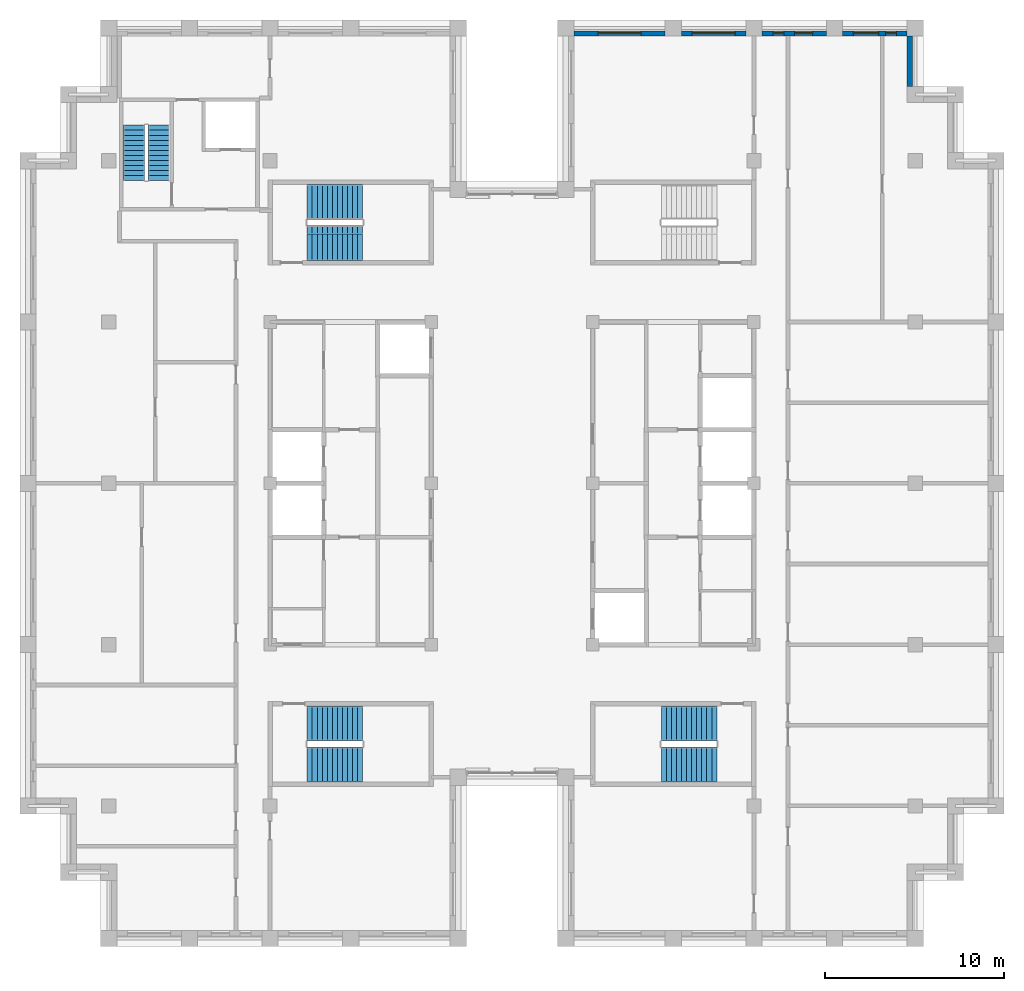
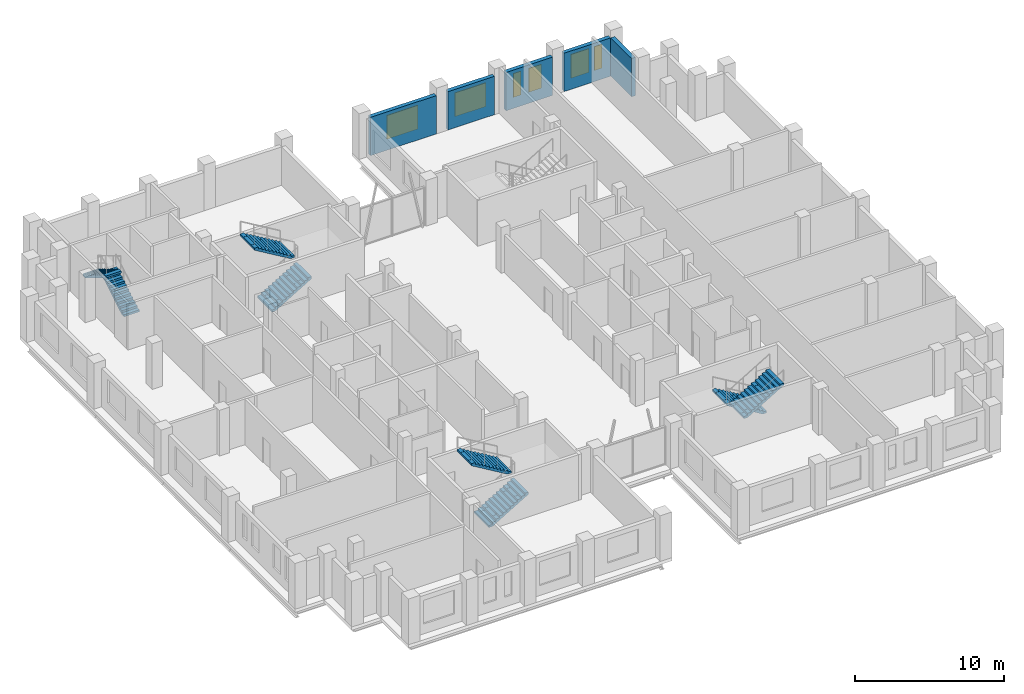
# One storey, part 11 of 13: 8 stair flights, 6 windows, 5 walls, 6 openings, 4 elements without a shape of their own.
"""IFC4 building model written with IfcOpenShell, lengths in metres."""

from ifc_helpers import new_model, si_unit, direction, frame, frame_2d, origin, place, context, subcontext, project, spatial, polyline, rectangle, outline, extrude, material, layer, layer_set, type_object, element, fill, aggregate, save


model = new_model("IFC4")

# Units and contexts
model_context = context("Model", 3, precision=1e-05, world=origin(), true_north=direction((0.0, 1.0)))
body_context = subcontext(model_context, "Body", "Model", "MODEL_VIEW")
ifc_project = project(units=[si_unit("LENGTHUNIT", "METRE"), si_unit("AREAUNIT", "SQUARE_METRE"), si_unit("VOLUMEUNIT", "CUBIC_METRE"), si_unit("PLANEANGLEUNIT", "RADIAN"), si_unit("MASSUNIT", "GRAM", prefix="KILO")], contexts=[model_context])

# Site, building, storey
site_placement = place(None, origin())
site = spatial("IfcSite", under=ifc_project, at=site_placement, CompositionType="ELEMENT")
building_placement = place(site_placement, origin())
building = spatial("IfcBuilding", under=site, at=building_placement, Name="Corbelhall Arena Tower", CompositionType="ELEMENT")
storey_placement = place(building_placement, frame((0.0, 0.0, 342.0)))
storey = spatial("IfcBuildingStorey", under=building, at=storey_placement, Name="L75", CompositionType="ELEMENT", Elevation=342.0)

# Wall
ifc_material_1 = material(Name="Precast concrete C40/50 with granite facing", Category="masonry")
ifc_layer = layer(ifc_material_1, 0.300048828125)
ifc_layer_set = layer_set([ifc_layer], Name="EV-IW1 Infill panel 300")
wall_type = type_object("IfcWallType", Name="EV-IW1 Infill panel 300", PredefinedType="SOLIDWALL", material=ifc_layer_set)
wall_1_placement = place(storey_placement, frame((22.199951171875, 22.14990234375, 0.0), z_axis=(0.0, 0.0, 1.0), x_axis=(0.0, 1.0, 0.0)))
element("IfcWall", 1, at=wall_1_placement, inside=storey, type_object=wall_type, Name="Infill panel IW1", PredefinedType="SOLIDWALL", context=body_context, shape_type="SweptSolid", body=[
    extrude(rectangle(XDim=2.800048828125, YDim=0.300048828125, at=frame_2d((1.39990234375, 0.0))), origin(), (0.0, 0.0, 1.0), 3.139892578125),
])

# Wall, openings, windows
wall_2_placement = place(storey_placement, frame((22.050048828125, 25.10009765625, 0.0), z_axis=(0.0, 0.0, 1.0), x_axis=(-1.0, 0.0, 0.0)))
wall_2 = element("IfcWall", 2, at=wall_2_placement, inside=storey, type_object=wall_type, Name="Infill panel IW1", PredefinedType="SOLIDWALL", context=body_context, shape_type="SweptSolid", body=[
    extrude(rectangle(XDim=3.60009765625, YDim=0.300048828125, at=frame_2d((1.800048828125, 0.0))), origin(), (0.0, 0.0, 1.0), 3.139892578125),
])
opening_1_placement = place(wall_2_placement, frame((0.60009765625, 0.0, 0.800048828125)))
opening_1 = element("IfcOpeningElement", 3, at=opening_1_placement, cuts=wall_2, Name="Opening WN5", PredefinedType="OPENING", context=body_context, shape_type="SweptSolid", body=[
    extrude(rectangle(XDim=0.60009765625, YDim=1.949951171875, at=frame_2d((0.300048828125, 0.97509765625))), frame((0.0, 0.14990234375, 0.0), z_axis=(0.0, -1.0, 0.0), x_axis=(1.0, 0.0, 0.0)), (0.0, 0.0, 1.0), 0.300048828125),
])
opening_2_placement = place(wall_2_placement, frame((1.60009765625, 0.0, 0.800048828125)))
opening_2 = element("IfcOpeningElement", 4, at=opening_2_placement, cuts=wall_2, Name="Opening WN7", PredefinedType="OPENING", context=body_context, shape_type="SweptSolid", body=[
    extrude(rectangle(XDim=1.39990234375, YDim=1.949951171875, at=frame_2d((0.699951171875, 0.97509765625))), frame((0.0, 0.14990234375, 0.0), z_axis=(0.0, -1.0, 0.0), x_axis=(1.0, 0.0, 0.0)), (0.0, 0.0, 1.0), 0.300048828125),
])
ifc_material_2 = material(Name="Aluminium black anodised", Category="aluminium")
window_type_1 = type_object("IfcWindowType", Name="EV-WN5 Office window 600", PartitioningType="SINGLE_PANEL", PredefinedType="WINDOW", material=ifc_material_2)
window_1_placement = place(opening_1_placement, origin())
window_1 = element("IfcWindow", 5, at=window_1_placement, inside=storey, type_object=window_type_1, Name="Window WN5", OverallHeight=1.949951171875, OverallWidth=0.60009765625, PartitioningType="SINGLE_PANEL", PredefinedType="WINDOW", context=body_context, shape_type="SweptSolid", body=[
    extrude(rectangle(XDim=0.60009765625, YDim=1.949951171875, at=frame_2d((0.300048828125, 0.97509765625))), frame((0.0, 0.030029296875, 0.0), z_axis=(0.0, -1.0, 0.0), x_axis=(1.0, 0.0, 0.0)), (0.0, 0.0, 1.0), 0.06005859375),
])
fill(opening_1, window_1)
window_type_2 = type_object("IfcWindowType", Name="EV-WN7 Office window 1400", PartitioningType="SINGLE_PANEL", PredefinedType="WINDOW", material=ifc_material_2)
window_2_placement = place(opening_2_placement, origin())
window_2 = element("IfcWindow", 6, at=window_2_placement, inside=storey, type_object=window_type_2, Name="Window WN7", OverallHeight=1.949951171875, OverallWidth=1.39990234375, PartitioningType="SINGLE_PANEL", PredefinedType="WINDOW", context=body_context, shape_type="SweptSolid", body=[
    extrude(rectangle(XDim=1.39990234375, YDim=1.949951171875, at=frame_2d((0.699951171875, 0.97509765625))), frame((0.0, 0.030029296875, 0.0), z_axis=(0.0, -1.0, 0.0), x_axis=(1.0, 0.0, 0.0)), (0.0, 0.0, 1.0), 0.06005859375),
])
fill(opening_2, window_2)

wall_3_placement = place(storey_placement, frame((17.550048828125, 25.10009765625, 0.0), z_axis=(0.0, 0.0, 1.0), x_axis=(-1.0, 0.0, 0.0)))
wall_3 = element("IfcWall", 7, at=wall_3_placement, inside=storey, type_object=wall_type, Name="Infill panel IW1", PredefinedType="SOLIDWALL", context=body_context, shape_type="SweptSolid", body=[
    extrude(rectangle(XDim=3.60009765625, YDim=0.300048828125, at=frame_2d((1.800048828125, 0.0))), origin(), (0.0, 0.0, 1.0), 3.139892578125),
])
opening_3_placement = place(wall_3_placement, frame((0.77490234375, 0.0, 0.800048828125)))
opening_3 = element("IfcOpeningElement", 8, at=opening_3_placement, cuts=wall_3, Name="Opening WN6", PredefinedType="OPENING", context=body_context, shape_type="SweptSolid", body=[
    extrude(rectangle(XDim=1.0, YDim=1.949951171875, at=frame_2d((0.5, 0.97509765625))), frame((0.0, 0.14990234375, 0.0), z_axis=(0.0, -1.0, 0.0), x_axis=(1.0, 0.0, 0.0)), (0.0, 0.0, 1.0), 0.300048828125),
])
opening_4_placement = place(wall_3_placement, frame((2.375, 0.0, 0.800048828125)))
opening_4 = element("IfcOpeningElement", 9, at=opening_4_placement, cuts=wall_3, Name="Opening WN5", PredefinedType="OPENING", context=body_context, shape_type="SweptSolid", body=[
    extrude(rectangle(XDim=0.60009765625, YDim=1.949951171875, at=frame_2d((0.300048828125, 0.97509765625))), frame((0.0, 0.14990234375, 0.0), z_axis=(0.0, -1.0, 0.0), x_axis=(1.0, 0.0, 0.0)), (0.0, 0.0, 1.0), 0.300048828125),
])
window_3_placement = place(opening_4_placement, origin())
window_3 = element("IfcWindow", 10, at=window_3_placement, inside=storey, type_object=window_type_1, Name="Window WN5", OverallHeight=1.949951171875, OverallWidth=0.60009765625, PartitioningType="SINGLE_PANEL", PredefinedType="WINDOW", context=body_context, shape_type="SweptSolid", body=[
    extrude(rectangle(XDim=0.60009765625, YDim=1.949951171875, at=frame_2d((0.300048828125, 0.97509765625))), frame((0.0, 0.030029296875, 0.0), z_axis=(0.0, -1.0, 0.0), x_axis=(1.0, 0.0, 0.0)), (0.0, 0.0, 1.0), 0.06005859375),
])
fill(opening_4, window_3)
window_type_3 = type_object("IfcWindowType", Name="EV-WN6 Office window 1000", PartitioningType="SINGLE_PANEL", PredefinedType="WINDOW", material=ifc_material_2)
window_4_placement = place(opening_3_placement, origin())
window_4 = element("IfcWindow", 11, at=window_4_placement, inside=storey, type_object=window_type_3, Name="Window WN6", OverallHeight=1.949951171875, OverallWidth=1.0, PartitioningType="SINGLE_PANEL", PredefinedType="WINDOW", context=body_context, shape_type="SweptSolid", body=[
    extrude(rectangle(XDim=1.0, YDim=1.949951171875, at=frame_2d((0.5, 0.97509765625))), frame((0.0, 0.030029296875, 0.0), z_axis=(0.0, -1.0, 0.0), x_axis=(1.0, 0.0, 0.0)), (0.0, 0.0, 1.0), 0.06005859375),
])
fill(opening_3, window_4)

# Wall, opening, window
wall_4_placement = place(storey_placement, frame((13.050048828125, 25.10009765625, 0.0), z_axis=(0.0, 0.0, 1.0), x_axis=(-1.0, 0.0, 0.0)))
wall_4 = element("IfcWall", 12, at=wall_4_placement, inside=storey, type_object=wall_type, Name="Infill panel IW1", PredefinedType="SOLIDWALL", context=body_context, shape_type="SweptSolid", body=[
    extrude(rectangle(XDim=3.60009765625, YDim=0.300048828125, at=frame_2d((1.800048828125, 0.0))), origin(), (0.0, 0.0, 1.0), 3.139892578125),
])
opening_5_placement = place(wall_4_placement, frame((0.60009765625, 0.0, 0.800048828125)))
opening_5 = element("IfcOpeningElement", 13, at=opening_5_placement, cuts=wall_4, Name="Opening WN1", PredefinedType="OPENING", context=body_context, shape_type="SweptSolid", body=[
    extrude(rectangle(XDim=2.39990234375, YDim=1.949951171875, at=frame_2d((1.199951171875, 0.97509765625))), frame((0.0, 0.14990234375, 0.0), z_axis=(0.0, -1.0, 0.0), x_axis=(1.0, 0.0, 0.0)), (0.0, 0.0, 1.0), 0.300048828125),
])
window_type_4 = type_object("IfcWindowType", Name="EV-WN1 Office window", PartitioningType="SINGLE_PANEL", PredefinedType="WINDOW", material=ifc_material_2)
window_5_placement = place(opening_5_placement, origin())
window_5 = element("IfcWindow", 14, at=window_5_placement, inside=storey, type_object=window_type_4, Name="Window WN1", OverallHeight=1.949951171875, OverallWidth=2.39990234375, PartitioningType="SINGLE_PANEL", PredefinedType="WINDOW", context=body_context, shape_type="SweptSolid", body=[
    extrude(rectangle(XDim=2.39990234375, YDim=1.949951171875, at=frame_2d((1.199951171875, 0.97509765625))), frame((0.0, 0.030029296875, 0.0), z_axis=(0.0, -1.0, 0.0), x_axis=(1.0, 0.0, 0.0)), (0.0, 0.0, 1.0), 0.06005859375),
])
fill(opening_5, window_5)

wall_5_placement = place(storey_placement, frame((8.550048828125, 25.10009765625, 0.0), z_axis=(0.0, 0.0, 1.0), x_axis=(-1.0, 0.0, 0.0)))
wall_5 = element("IfcWall", 15, at=wall_5_placement, inside=storey, type_object=wall_type, Name="Infill panel IW1", PredefinedType="SOLIDWALL", context=body_context, shape_type="SweptSolid", body=[
    extrude(rectangle(XDim=5.10009765625, YDim=0.300048828125, at=frame_2d((2.550048828125, 0.0))), origin(), (0.0, 0.0, 1.0), 3.139892578125),
])
opening_6_placement = place(wall_5_placement, frame((1.35009765625, 0.0, 0.800048828125)))
opening_6 = element("IfcOpeningElement", 16, at=opening_6_placement, cuts=wall_5, Name="Opening WN1", PredefinedType="OPENING", context=body_context, shape_type="SweptSolid", body=[
    extrude(rectangle(XDim=2.39990234375, YDim=1.949951171875, at=frame_2d((1.199951171875, 0.97509765625))), frame((0.0, 0.14990234375, 0.0), z_axis=(0.0, -1.0, 0.0), x_axis=(1.0, 0.0, 0.0)), (0.0, 0.0, 1.0), 0.300048828125),
])
window_6_placement = place(opening_6_placement, origin())
window_6 = element("IfcWindow", 17, at=window_6_placement, inside=storey, type_object=window_type_4, Name="Window WN1", OverallHeight=1.949951171875, OverallWidth=2.39990234375, PartitioningType="SINGLE_PANEL", PredefinedType="WINDOW", context=body_context, shape_type="SweptSolid", body=[
    extrude(rectangle(XDim=2.39990234375, YDim=1.949951171875, at=frame_2d((1.199951171875, 0.97509765625))), frame((0.0, 0.030029296875, 0.0), z_axis=(0.0, -1.0, 0.0), x_axis=(1.0, 0.0, 0.0)), (0.0, 0.0, 1.0), 0.06005859375),
])
fill(opening_6, window_6)

# Stair, stair flights
ifc_material_3 = material(Name="Concrete C40/50", Category="concrete")
stair_type = type_object("IfcStairType", Name="IN-ST-TOWER", PredefinedType="HALF_TURN_STAIR", material=ifc_material_3)
stair_1_placement = place(storey_placement, origin())
stair_1 = element("IfcStair", 18, at=stair_1_placement, inside=storey, type_object=stair_type, Name="L75 Exit stair ST1", PredefinedType="HALF_TURN_STAIR")
stair_flight_type = type_object("IfcStairFlightType", Name="IN-SFL-RC", PredefinedType="STRAIGHT", material=ifc_material_3)
stair_flight_1_placement = place(storey_placement, frame((-11.425048828125, 13.39990234375, 0.0), z_axis=(0.0, 0.0, 1.0), x_axis=(1.0, 0.0, 0.0)))
stair_flight_1 = element("IfcStairFlight", 19, at=stair_flight_1_placement, type_object=stair_flight_type, Name="ST1 flight 1", NumberOfRisers=12, NumberOfTreads=11, PredefinedType="STRAIGHT", RiserHeight=0.166666667, TreadLength=0.28, context=body_context, shape_type="SweptSolid", body=[
    extrude(outline(polyline([(0.0, 0.0), (0.0, 0.166748046875), (0.280029296875, 0.166748046875), (0.280029296875, 0.333251953125), (0.56005859375, 0.333251953125), (0.56005859375, 0.5), (0.840087890625, 0.5), (0.840087890625, 0.666748046875), (1.1201171875, 0.666748046875), (1.1201171875, 0.833251953125), (1.39990234375, 0.833251953125), (1.39990234375, 1.0), (1.679931640625, 1.0), (1.679931640625, 1.166748046875), (1.9599609375, 1.166748046875), (1.9599609375, 1.333251953125), (2.239990234375, 1.333251953125), (2.239990234375, 1.5), (2.52001953125, 1.5), (2.52001953125, 1.666748046875), (2.800048828125, 1.666748046875), (2.800048828125, 1.833251953125), (3.080078125, 1.833251953125), (3.080078125, 2.0), (3.080078125, 1.658935546875), (0.29296875, 0.0), (0.0, 0.0)])), frame((0.0, 0.97509765625, 0.0), z_axis=(0.0, -1.0, 0.0), x_axis=(1.0, 0.0, 0.0)), (0.0, 0.0, 1.0), 0.449951171875),
    extrude(outline(polyline([(0.0, 0.0), (0.0, 0.166748046875), (0.280029296875, 0.166748046875), (0.280029296875, 0.333251953125), (0.56005859375, 0.333251953125), (0.56005859375, 0.5), (0.840087890625, 0.5), (0.840087890625, 0.666748046875), (1.1201171875, 0.666748046875), (1.1201171875, 0.833251953125), (1.39990234375, 0.833251953125), (1.39990234375, 1.0), (1.679931640625, 1.0), (1.679931640625, 1.166748046875), (1.9599609375, 1.166748046875), (1.9599609375, 1.333251953125), (2.239990234375, 1.333251953125), (2.239990234375, 1.5), (2.52001953125, 1.5), (2.52001953125, 1.666748046875), (2.800048828125, 1.666748046875), (2.800048828125, 1.833251953125), (3.080078125, 1.833251953125), (3.080078125, 2.0), (3.080078125, 1.658935546875), (0.29296875, 0.0), (0.0, 0.0)])), frame((0.0, 0.52099609375, 0.0), z_axis=(0.0, -1.0, 0.0), x_axis=(1.0, 0.0, 0.0)), (0.0, 0.0, 1.0), 1.0419921875),
    extrude(outline(polyline([(0.0, 0.0), (0.0, 0.166748046875), (0.280029296875, 0.166748046875), (0.280029296875, 0.333251953125), (0.56005859375, 0.333251953125), (0.56005859375, 0.5), (0.840087890625, 0.5), (0.840087890625, 0.666748046875), (1.1201171875, 0.666748046875), (1.1201171875, 0.833251953125), (1.39990234375, 0.833251953125), (1.39990234375, 1.0), (1.679931640625, 1.0), (1.679931640625, 1.166748046875), (1.9599609375, 1.166748046875), (1.9599609375, 1.333251953125), (2.239990234375, 1.333251953125), (2.239990234375, 1.5), (2.52001953125, 1.5), (2.52001953125, 1.666748046875), (2.800048828125, 1.666748046875), (2.800048828125, 1.833251953125), (3.080078125, 1.833251953125), (3.080078125, 2.0), (3.080078125, 1.658935546875), (0.29296875, 0.0), (0.0, 0.0)])), frame((0.0, -0.52490234375, 0.0), z_axis=(0.0, -1.0, 0.0), x_axis=(1.0, 0.0, 0.0)), (0.0, 0.0, 1.0), 0.449951171875),
])
stair_flight_2_placement = place(storey_placement, frame((-8.344970703125, 15.699951171875, 2.0), z_axis=(0.0, 0.0, 1.0), x_axis=(-1.0, 0.0, 0.0)))
stair_flight_2 = element("IfcStairFlight", 20, at=stair_flight_2_placement, type_object=stair_flight_type, Name="ST1 flight 2", NumberOfRisers=12, NumberOfTreads=11, PredefinedType="STRAIGHT", RiserHeight=0.166666667, TreadLength=0.28, context=body_context, shape_type="SweptSolid", body=[
    extrude(outline(polyline([(0.0, 0.0), (0.0, 0.166748046875), (0.280029296875, 0.166748046875), (0.280029296875, 0.333251953125), (0.56005859375, 0.333251953125), (0.56005859375, 0.5), (0.840087890625, 0.5), (0.840087890625, 0.666748046875), (1.1201171875, 0.666748046875), (1.1201171875, 0.833251953125), (1.39990234375, 0.833251953125), (1.39990234375, 1.0), (1.679931640625, 1.0), (1.679931640625, 1.166748046875), (1.9599609375, 1.166748046875), (1.9599609375, 1.333251953125), (2.239990234375, 1.333251953125), (2.239990234375, 1.5), (2.52001953125, 1.5), (2.52001953125, 1.666748046875), (2.800048828125, 1.666748046875), (2.800048828125, 1.833251953125), (3.080078125, 1.833251953125), (3.080078125, 2.0), (3.080078125, 1.658935546875), (0.29296875, 0.0), (0.0, 0.0)])), frame((0.0, 0.97509765625, 0.0), z_axis=(0.0, -1.0, 0.0), x_axis=(1.0, 0.0, 0.0)), (0.0, 0.0, 1.0), 0.449951171875),
    extrude(outline(polyline([(0.0, 0.0), (0.0, 0.166748046875), (0.280029296875, 0.166748046875), (0.280029296875, 0.333251953125), (0.56005859375, 0.333251953125), (0.56005859375, 0.5), (0.840087890625, 0.5), (0.840087890625, 0.666748046875), (1.1201171875, 0.666748046875), (1.1201171875, 0.833251953125), (1.39990234375, 0.833251953125), (1.39990234375, 1.0), (1.679931640625, 1.0), (1.679931640625, 1.166748046875), (1.9599609375, 1.166748046875), (1.9599609375, 1.333251953125), (2.239990234375, 1.333251953125), (2.239990234375, 1.5), (2.52001953125, 1.5), (2.52001953125, 1.666748046875), (2.800048828125, 1.666748046875), (2.800048828125, 1.833251953125), (3.080078125, 1.833251953125), (3.080078125, 2.0), (3.080078125, 1.658935546875), (0.29296875, 0.0), (0.0, 0.0)])), frame((0.0, 0.52099609375, 0.0), z_axis=(0.0, -1.0, 0.0), x_axis=(1.0, 0.0, 0.0)), (0.0, 0.0, 1.0), 1.0419921875),
    extrude(outline(polyline([(0.0, 0.0), (0.0, 0.166748046875), (0.280029296875, 0.166748046875), (0.280029296875, 0.333251953125), (0.56005859375, 0.333251953125), (0.56005859375, 0.5), (0.840087890625, 0.5), (0.840087890625, 0.666748046875), (1.1201171875, 0.666748046875), (1.1201171875, 0.833251953125), (1.39990234375, 0.833251953125), (1.39990234375, 1.0), (1.679931640625, 1.0), (1.679931640625, 1.166748046875), (1.9599609375, 1.166748046875), (1.9599609375, 1.333251953125), (2.239990234375, 1.333251953125), (2.239990234375, 1.5), (2.52001953125, 1.5), (2.52001953125, 1.666748046875), (2.800048828125, 1.666748046875), (2.800048828125, 1.833251953125), (3.080078125, 1.833251953125), (3.080078125, 2.0), (3.080078125, 1.658935546875), (0.29296875, 0.0), (0.0, 0.0)])), frame((0.0, -0.52490234375, 0.0), z_axis=(0.0, -1.0, 0.0), x_axis=(1.0, 0.0, 0.0)), (0.0, 0.0, 1.0), 0.449951171875),
])
aggregate(stair_1, [stair_flight_1, stair_flight_2])

stair_2_placement = place(storey_placement, origin())
stair_2 = element("IfcStair", 21, at=stair_2_placement, inside=storey, type_object=stair_type, Name="L75 Exit stair ST2", PredefinedType="HALF_TURN_STAIR")
stair_flight_3_placement = place(storey_placement, frame((-11.425048828125, -15.699951171875, 0.0), z_axis=(0.0, 0.0, 1.0), x_axis=(1.0, 0.0, 0.0)))
stair_flight_3 = element("IfcStairFlight", 22, at=stair_flight_3_placement, type_object=stair_flight_type, Name="ST2 flight 1", NumberOfRisers=12, NumberOfTreads=11, PredefinedType="STRAIGHT", RiserHeight=0.166666667, TreadLength=0.28, context=body_context, shape_type="SweptSolid", body=[
    extrude(outline(polyline([(0.0, 0.0), (0.0, 0.166748046875), (0.280029296875, 0.166748046875), (0.280029296875, 0.333251953125), (0.56005859375, 0.333251953125), (0.56005859375, 0.5), (0.840087890625, 0.5), (0.840087890625, 0.666748046875), (1.1201171875, 0.666748046875), (1.1201171875, 0.833251953125), (1.39990234375, 0.833251953125), (1.39990234375, 1.0), (1.679931640625, 1.0), (1.679931640625, 1.166748046875), (1.9599609375, 1.166748046875), (1.9599609375, 1.333251953125), (2.239990234375, 1.333251953125), (2.239990234375, 1.5), (2.52001953125, 1.5), (2.52001953125, 1.666748046875), (2.800048828125, 1.666748046875), (2.800048828125, 1.833251953125), (3.080078125, 1.833251953125), (3.080078125, 2.0), (3.080078125, 1.658935546875), (0.29296875, 0.0), (0.0, 0.0)])), frame((0.0, 0.97509765625, 0.0), z_axis=(0.0, -1.0, 0.0), x_axis=(1.0, 0.0, 0.0)), (0.0, 0.0, 1.0), 0.449951171875),
    extrude(outline(polyline([(0.0, 0.0), (0.0, 0.166748046875), (0.280029296875, 0.166748046875), (0.280029296875, 0.333251953125), (0.56005859375, 0.333251953125), (0.56005859375, 0.5), (0.840087890625, 0.5), (0.840087890625, 0.666748046875), (1.1201171875, 0.666748046875), (1.1201171875, 0.833251953125), (1.39990234375, 0.833251953125), (1.39990234375, 1.0), (1.679931640625, 1.0), (1.679931640625, 1.166748046875), (1.9599609375, 1.166748046875), (1.9599609375, 1.333251953125), (2.239990234375, 1.333251953125), (2.239990234375, 1.5), (2.52001953125, 1.5), (2.52001953125, 1.666748046875), (2.800048828125, 1.666748046875), (2.800048828125, 1.833251953125), (3.080078125, 1.833251953125), (3.080078125, 2.0), (3.080078125, 1.658935546875), (0.29296875, 0.0), (0.0, 0.0)])), frame((0.0, 0.52099609375, 0.0), z_axis=(0.0, -1.0, 0.0), x_axis=(1.0, 0.0, 0.0)), (0.0, 0.0, 1.0), 1.0419921875),
    extrude(outline(polyline([(0.0, 0.0), (0.0, 0.166748046875), (0.280029296875, 0.166748046875), (0.280029296875, 0.333251953125), (0.56005859375, 0.333251953125), (0.56005859375, 0.5), (0.840087890625, 0.5), (0.840087890625, 0.666748046875), (1.1201171875, 0.666748046875), (1.1201171875, 0.833251953125), (1.39990234375, 0.833251953125), (1.39990234375, 1.0), (1.679931640625, 1.0), (1.679931640625, 1.166748046875), (1.9599609375, 1.166748046875), (1.9599609375, 1.333251953125), (2.239990234375, 1.333251953125), (2.239990234375, 1.5), (2.52001953125, 1.5), (2.52001953125, 1.666748046875), (2.800048828125, 1.666748046875), (2.800048828125, 1.833251953125), (3.080078125, 1.833251953125), (3.080078125, 2.0), (3.080078125, 1.658935546875), (0.29296875, 0.0), (0.0, 0.0)])), frame((0.0, -0.52490234375, 0.0), z_axis=(0.0, -1.0, 0.0), x_axis=(1.0, 0.0, 0.0)), (0.0, 0.0, 1.0), 0.449951171875),
])
stair_flight_4_placement = place(storey_placement, frame((-8.344970703125, -13.39990234375, 2.0), z_axis=(0.0, 0.0, 1.0), x_axis=(-1.0, 0.0, 0.0)))
stair_flight_4 = element("IfcStairFlight", 23, at=stair_flight_4_placement, type_object=stair_flight_type, Name="ST2 flight 2", NumberOfRisers=12, NumberOfTreads=11, PredefinedType="STRAIGHT", RiserHeight=0.166666667, TreadLength=0.28, context=body_context, shape_type="SweptSolid", body=[
    extrude(outline(polyline([(0.0, 0.0), (0.0, 0.166748046875), (0.280029296875, 0.166748046875), (0.280029296875, 0.333251953125), (0.56005859375, 0.333251953125), (0.56005859375, 0.5), (0.840087890625, 0.5), (0.840087890625, 0.666748046875), (1.1201171875, 0.666748046875), (1.1201171875, 0.833251953125), (1.39990234375, 0.833251953125), (1.39990234375, 1.0), (1.679931640625, 1.0), (1.679931640625, 1.166748046875), (1.9599609375, 1.166748046875), (1.9599609375, 1.333251953125), (2.239990234375, 1.333251953125), (2.239990234375, 1.5), (2.52001953125, 1.5), (2.52001953125, 1.666748046875), (2.800048828125, 1.666748046875), (2.800048828125, 1.833251953125), (3.080078125, 1.833251953125), (3.080078125, 2.0), (3.080078125, 1.658935546875), (0.29296875, 0.0), (0.0, 0.0)])), frame((0.0, 0.97509765625, 0.0), z_axis=(0.0, -1.0, 0.0), x_axis=(1.0, 0.0, 0.0)), (0.0, 0.0, 1.0), 0.449951171875),
    extrude(outline(polyline([(0.0, 0.0), (0.0, 0.166748046875), (0.280029296875, 0.166748046875), (0.280029296875, 0.333251953125), (0.56005859375, 0.333251953125), (0.56005859375, 0.5), (0.840087890625, 0.5), (0.840087890625, 0.666748046875), (1.1201171875, 0.666748046875), (1.1201171875, 0.833251953125), (1.39990234375, 0.833251953125), (1.39990234375, 1.0), (1.679931640625, 1.0), (1.679931640625, 1.166748046875), (1.9599609375, 1.166748046875), (1.9599609375, 1.333251953125), (2.239990234375, 1.333251953125), (2.239990234375, 1.5), (2.52001953125, 1.5), (2.52001953125, 1.666748046875), (2.800048828125, 1.666748046875), (2.800048828125, 1.833251953125), (3.080078125, 1.833251953125), (3.080078125, 2.0), (3.080078125, 1.658935546875), (0.29296875, 0.0), (0.0, 0.0)])), frame((0.0, 0.52099609375, 0.0), z_axis=(0.0, -1.0, 0.0), x_axis=(1.0, 0.0, 0.0)), (0.0, 0.0, 1.0), 1.0419921875),
    extrude(outline(polyline([(0.0, 0.0), (0.0, 0.166748046875), (0.280029296875, 0.166748046875), (0.280029296875, 0.333251953125), (0.56005859375, 0.333251953125), (0.56005859375, 0.5), (0.840087890625, 0.5), (0.840087890625, 0.666748046875), (1.1201171875, 0.666748046875), (1.1201171875, 0.833251953125), (1.39990234375, 0.833251953125), (1.39990234375, 1.0), (1.679931640625, 1.0), (1.679931640625, 1.166748046875), (1.9599609375, 1.166748046875), (1.9599609375, 1.333251953125), (2.239990234375, 1.333251953125), (2.239990234375, 1.5), (2.52001953125, 1.5), (2.52001953125, 1.666748046875), (2.800048828125, 1.666748046875), (2.800048828125, 1.833251953125), (3.080078125, 1.833251953125), (3.080078125, 2.0), (3.080078125, 1.658935546875), (0.29296875, 0.0), (0.0, 0.0)])), frame((0.0, -0.52490234375, 0.0), z_axis=(0.0, -1.0, 0.0), x_axis=(1.0, 0.0, 0.0)), (0.0, 0.0, 1.0), 0.449951171875),
])
aggregate(stair_2, [stair_flight_3, stair_flight_4])

stair_3_placement = place(storey_placement, origin())
stair_3 = element("IfcStair", 24, at=stair_3_placement, inside=storey, type_object=stair_type, Name="L75 Exit stair ST4", PredefinedType="HALF_TURN_STAIR")
stair_flight_5_placement = place(storey_placement, frame((11.425048828125, -13.39990234375, 0.0), z_axis=(0.0, 0.0, 1.0), x_axis=(-1.0, 0.0, 0.0)))
stair_flight_5 = element("IfcStairFlight", 25, at=stair_flight_5_placement, type_object=stair_flight_type, Name="ST4 flight 1", NumberOfRisers=12, NumberOfTreads=11, PredefinedType="STRAIGHT", RiserHeight=0.166666667, TreadLength=0.28, context=body_context, shape_type="SweptSolid", body=[
    extrude(outline(polyline([(0.0, 0.0), (0.0, 0.166748046875), (0.280029296875, 0.166748046875), (0.280029296875, 0.333251953125), (0.56005859375, 0.333251953125), (0.56005859375, 0.5), (0.840087890625, 0.5), (0.840087890625, 0.666748046875), (1.1201171875, 0.666748046875), (1.1201171875, 0.833251953125), (1.39990234375, 0.833251953125), (1.39990234375, 1.0), (1.679931640625, 1.0), (1.679931640625, 1.166748046875), (1.9599609375, 1.166748046875), (1.9599609375, 1.333251953125), (2.239990234375, 1.333251953125), (2.239990234375, 1.5), (2.52001953125, 1.5), (2.52001953125, 1.666748046875), (2.800048828125, 1.666748046875), (2.800048828125, 1.833251953125), (3.080078125, 1.833251953125), (3.080078125, 2.0), (3.080078125, 1.658935546875), (0.29296875, 0.0), (0.0, 0.0)])), frame((0.0, 0.97509765625, 0.0), z_axis=(0.0, -1.0, 0.0), x_axis=(1.0, 0.0, 0.0)), (0.0, 0.0, 1.0), 0.449951171875),
    extrude(outline(polyline([(0.0, 0.0), (0.0, 0.166748046875), (0.280029296875, 0.166748046875), (0.280029296875, 0.333251953125), (0.56005859375, 0.333251953125), (0.56005859375, 0.5), (0.840087890625, 0.5), (0.840087890625, 0.666748046875), (1.1201171875, 0.666748046875), (1.1201171875, 0.833251953125), (1.39990234375, 0.833251953125), (1.39990234375, 1.0), (1.679931640625, 1.0), (1.679931640625, 1.166748046875), (1.9599609375, 1.166748046875), (1.9599609375, 1.333251953125), (2.239990234375, 1.333251953125), (2.239990234375, 1.5), (2.52001953125, 1.5), (2.52001953125, 1.666748046875), (2.800048828125, 1.666748046875), (2.800048828125, 1.833251953125), (3.080078125, 1.833251953125), (3.080078125, 2.0), (3.080078125, 1.658935546875), (0.29296875, 0.0), (0.0, 0.0)])), frame((0.0, 0.52099609375, 0.0), z_axis=(0.0, -1.0, 0.0), x_axis=(1.0, 0.0, 0.0)), (0.0, 0.0, 1.0), 1.0419921875),
    extrude(outline(polyline([(0.0, 0.0), (0.0, 0.166748046875), (0.280029296875, 0.166748046875), (0.280029296875, 0.333251953125), (0.56005859375, 0.333251953125), (0.56005859375, 0.5), (0.840087890625, 0.5), (0.840087890625, 0.666748046875), (1.1201171875, 0.666748046875), (1.1201171875, 0.833251953125), (1.39990234375, 0.833251953125), (1.39990234375, 1.0), (1.679931640625, 1.0), (1.679931640625, 1.166748046875), (1.9599609375, 1.166748046875), (1.9599609375, 1.333251953125), (2.239990234375, 1.333251953125), (2.239990234375, 1.5), (2.52001953125, 1.5), (2.52001953125, 1.666748046875), (2.800048828125, 1.666748046875), (2.800048828125, 1.833251953125), (3.080078125, 1.833251953125), (3.080078125, 2.0), (3.080078125, 1.658935546875), (0.29296875, 0.0), (0.0, 0.0)])), frame((0.0, -0.52490234375, 0.0), z_axis=(0.0, -1.0, 0.0), x_axis=(1.0, 0.0, 0.0)), (0.0, 0.0, 1.0), 0.449951171875),
])
stair_flight_6_placement = place(storey_placement, frame((8.344970703125, -15.699951171875, 2.0), z_axis=(0.0, 0.0, 1.0), x_axis=(1.0, 0.0, 0.0)))
stair_flight_6 = element("IfcStairFlight", 26, at=stair_flight_6_placement, type_object=stair_flight_type, Name="ST4 flight 2", NumberOfRisers=12, NumberOfTreads=11, PredefinedType="STRAIGHT", RiserHeight=0.166666667, TreadLength=0.28, context=body_context, shape_type="SweptSolid", body=[
    extrude(outline(polyline([(0.0, 0.0), (0.0, 0.166748046875), (0.280029296875, 0.166748046875), (0.280029296875, 0.333251953125), (0.56005859375, 0.333251953125), (0.56005859375, 0.5), (0.840087890625, 0.5), (0.840087890625, 0.666748046875), (1.1201171875, 0.666748046875), (1.1201171875, 0.833251953125), (1.39990234375, 0.833251953125), (1.39990234375, 1.0), (1.679931640625, 1.0), (1.679931640625, 1.166748046875), (1.9599609375, 1.166748046875), (1.9599609375, 1.333251953125), (2.239990234375, 1.333251953125), (2.239990234375, 1.5), (2.52001953125, 1.5), (2.52001953125, 1.666748046875), (2.800048828125, 1.666748046875), (2.800048828125, 1.833251953125), (3.080078125, 1.833251953125), (3.080078125, 2.0), (3.080078125, 1.658935546875), (0.29296875, 0.0), (0.0, 0.0)])), frame((0.0, 0.97509765625, 0.0), z_axis=(0.0, -1.0, 0.0), x_axis=(1.0, 0.0, 0.0)), (0.0, 0.0, 1.0), 0.449951171875),
    extrude(outline(polyline([(0.0, 0.0), (0.0, 0.166748046875), (0.280029296875, 0.166748046875), (0.280029296875, 0.333251953125), (0.56005859375, 0.333251953125), (0.56005859375, 0.5), (0.840087890625, 0.5), (0.840087890625, 0.666748046875), (1.1201171875, 0.666748046875), (1.1201171875, 0.833251953125), (1.39990234375, 0.833251953125), (1.39990234375, 1.0), (1.679931640625, 1.0), (1.679931640625, 1.166748046875), (1.9599609375, 1.166748046875), (1.9599609375, 1.333251953125), (2.239990234375, 1.333251953125), (2.239990234375, 1.5), (2.52001953125, 1.5), (2.52001953125, 1.666748046875), (2.800048828125, 1.666748046875), (2.800048828125, 1.833251953125), (3.080078125, 1.833251953125), (3.080078125, 2.0), (3.080078125, 1.658935546875), (0.29296875, 0.0), (0.0, 0.0)])), frame((0.0, 0.52099609375, 0.0), z_axis=(0.0, -1.0, 0.0), x_axis=(1.0, 0.0, 0.0)), (0.0, 0.0, 1.0), 1.0419921875),
    extrude(outline(polyline([(0.0, 0.0), (0.0, 0.166748046875), (0.280029296875, 0.166748046875), (0.280029296875, 0.333251953125), (0.56005859375, 0.333251953125), (0.56005859375, 0.5), (0.840087890625, 0.5), (0.840087890625, 0.666748046875), (1.1201171875, 0.666748046875), (1.1201171875, 0.833251953125), (1.39990234375, 0.833251953125), (1.39990234375, 1.0), (1.679931640625, 1.0), (1.679931640625, 1.166748046875), (1.9599609375, 1.166748046875), (1.9599609375, 1.333251953125), (2.239990234375, 1.333251953125), (2.239990234375, 1.5), (2.52001953125, 1.5), (2.52001953125, 1.666748046875), (2.800048828125, 1.666748046875), (2.800048828125, 1.833251953125), (3.080078125, 1.833251953125), (3.080078125, 2.0), (3.080078125, 1.658935546875), (0.29296875, 0.0), (0.0, 0.0)])), frame((0.0, -0.52490234375, 0.0), z_axis=(0.0, -1.0, 0.0), x_axis=(1.0, 0.0, 0.0)), (0.0, 0.0, 1.0), 0.449951171875),
])
aggregate(stair_3, [stair_flight_5, stair_flight_6])

stair_4_placement = place(storey_placement, origin())
stair_4 = element("IfcStair", 27, at=stair_4_placement, inside=storey, type_object=stair_type, Name="L75 Exit stair ST5", PredefinedType="HALF_TURN_STAIR")
stair_flight_7_placement = place(storey_placement, frame((-19.695068359375, 16.89990234375, 0.0), z_axis=(0.0, 0.0, 1.0), x_axis=(0.0, 1.0, 0.0)))
stair_flight_7 = element("IfcStairFlight", 28, at=stair_flight_7_placement, type_object=stair_flight_type, Name="ST5 flight 1", NumberOfRisers=12, NumberOfTreads=11, PredefinedType="STRAIGHT", RiserHeight=0.166666667, TreadLength=0.28, context=body_context, shape_type="SweptSolid", body=[
    extrude(outline(polyline([(0.0, 0.0), (0.0, 0.166748046875), (0.280029296875, 0.166748046875), (0.280029296875, 0.333251953125), (0.56005859375, 0.333251953125), (0.56005859375, 0.5), (0.840087890625, 0.5), (0.840087890625, 0.666748046875), (1.1201171875, 0.666748046875), (1.1201171875, 0.833251953125), (1.39990234375, 0.833251953125), (1.39990234375, 1.0), (1.679931640625, 1.0), (1.679931640625, 1.166748046875), (1.9599609375, 1.166748046875), (1.9599609375, 1.333251953125), (2.239990234375, 1.333251953125), (2.239990234375, 1.5), (2.52001953125, 1.5), (2.52001953125, 1.666748046875), (2.800048828125, 1.666748046875), (2.800048828125, 1.833251953125), (3.080078125, 1.833251953125), (3.080078125, 2.0), (3.080078125, 1.658935546875), (0.29296875, 0.0), (0.0, 0.0)])), frame((0.0, 0.60009765625, 0.0), z_axis=(0.0, -1.0, 0.0), x_axis=(1.0, 0.0, 0.0)), (0.0, 0.0, 1.0), 1.199951171875),
])
stair_flight_8_placement = place(storey_placement, frame((-21.094970703125, 19.97998046875, 2.0), z_axis=(0.0, 0.0, 1.0), x_axis=(0.0, -1.0, 0.0)))
stair_flight_8 = element("IfcStairFlight", 29, at=stair_flight_8_placement, type_object=stair_flight_type, Name="ST5 flight 2", NumberOfRisers=12, NumberOfTreads=11, PredefinedType="STRAIGHT", RiserHeight=0.166666667, TreadLength=0.28, context=body_context, shape_type="SweptSolid", body=[
    extrude(outline(polyline([(0.0, 0.0), (0.0, 0.166748046875), (0.280029296875, 0.166748046875), (0.280029296875, 0.333251953125), (0.56005859375, 0.333251953125), (0.56005859375, 0.5), (0.840087890625, 0.5), (0.840087890625, 0.666748046875), (1.1201171875, 0.666748046875), (1.1201171875, 0.833251953125), (1.39990234375, 0.833251953125), (1.39990234375, 1.0), (1.679931640625, 1.0), (1.679931640625, 1.166748046875), (1.9599609375, 1.166748046875), (1.9599609375, 1.333251953125), (2.239990234375, 1.333251953125), (2.239990234375, 1.5), (2.52001953125, 1.5), (2.52001953125, 1.666748046875), (2.800048828125, 1.666748046875), (2.800048828125, 1.833251953125), (3.080078125, 1.833251953125), (3.080078125, 2.0), (3.080078125, 1.658935546875), (0.29296875, 0.0), (0.0, 0.0)])), frame((0.0, 0.60009765625, 0.0), z_axis=(0.0, -1.0, 0.0), x_axis=(1.0, 0.0, 0.0)), (0.0, 0.0, 1.0), 1.199951171875),
])
aggregate(stair_4, [stair_flight_7, stair_flight_8])

save(model, "model.ifc")
